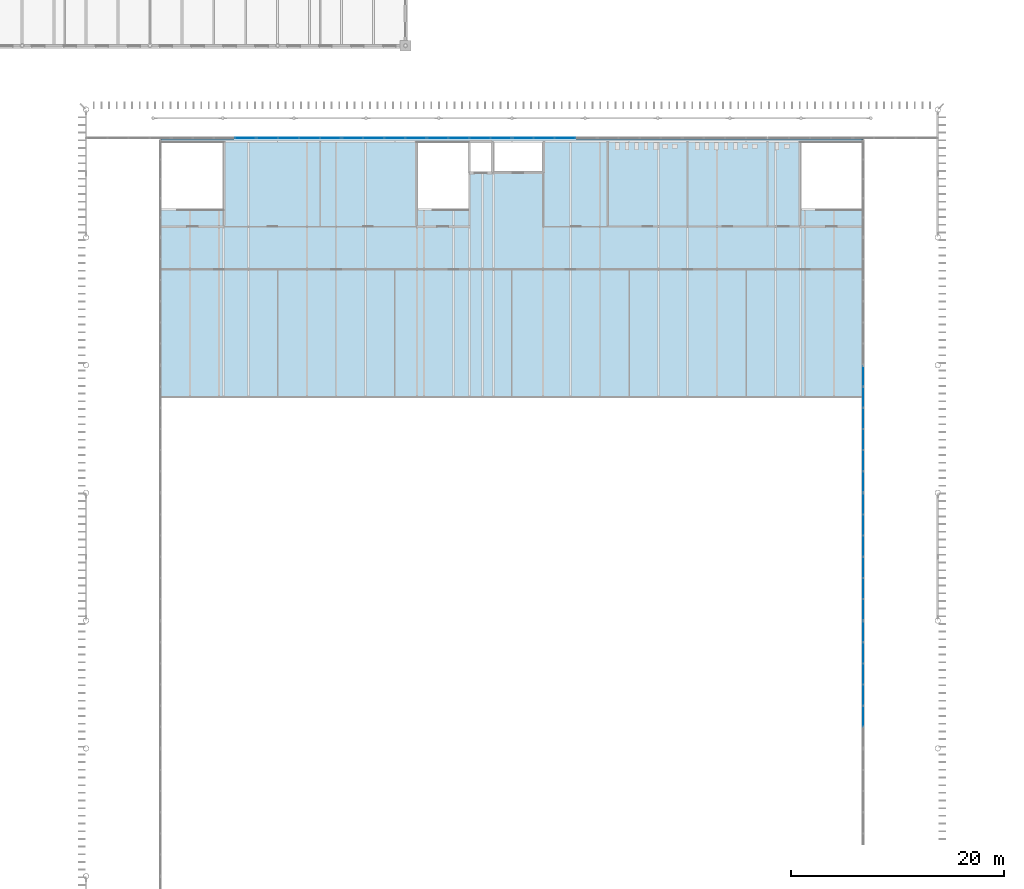
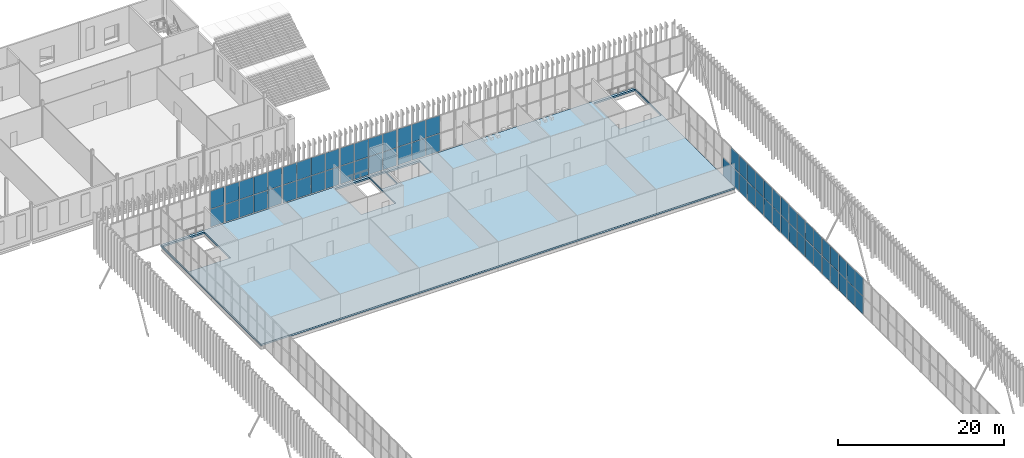
# One storey, part 96 of 170: 65 plates, 1 slab, 8 elements without a shape of their own.
"""IFC4 building model written with IfcOpenShell, lengths in metres."""

from ifc_helpers import new_model, si_unit, direction, frame, origin, origin_2d, place, context, subcontext, project, spatial, polyline, rectangle, outline, extrude, material, layer, layer_set, type_object, element, aggregate, save


model = new_model("IFC4")

# Units and contexts
model_context = context("Model", 3, precision=1e-05, world=origin(), true_north=direction((0.0, 1.0)))
body_context = subcontext(model_context, "Body", "Model", "MODEL_VIEW")
ifc_project = project(units=[si_unit("LENGTHUNIT", "METRE"), si_unit("AREAUNIT", "SQUARE_METRE"), si_unit("VOLUMEUNIT", "CUBIC_METRE"), si_unit("PLANEANGLEUNIT", "RADIAN"), si_unit("MASSUNIT", "GRAM", prefix="KILO")], contexts=[model_context])

# Site, building, storey
site_placement = place(None, origin())
site = spatial("IfcSite", under=ifc_project, at=site_placement, CompositionType="ELEMENT")
building_placement = place(site_placement, origin())
building = spatial("IfcBuilding", under=site, at=building_placement, Name="Ravi Spectrum Wholesale Market", CompositionType="ELEMENT")
storey_placement = place(building_placement, frame((0.0, 0.0, 5.39990234375)))
storey = spatial("IfcBuildingStorey", under=building, at=storey_placement, Name="L01", CompositionType="ELEMENT", Elevation=5.39990234375)

# Slab
ifc_material_1 = material(Name="Concrete C35/45", Category="concrete")
ifc_layer_1 = layer(ifc_material_1, 0.25)
ifc_layer_set_1 = layer_set([ifc_layer_1], Name="Concrete C35/45")
slab_type = type_object("IfcSlabType", Name="Composite deck slab 250", PredefinedType="FLOOR", material=ifc_layer_set_1)
slab_placement = place(storey_placement, frame((0.0, 0.0, -0.25)))
element("IfcSlab", 1, at=slab_placement, inside=storey, type_object=slab_type, Name="H1-SL-L01-001", PredefinedType="FLOOR", context=body_context, shape_type="SweptSolid", body=[
    extrude(outline(polyline([(37.0, 195.25), (103.0, 195.25), (103.0, 171.0), (37.0, 171.0), (37.0, 195.25)]), holes=[polyline([(37.10009765625, 194.89990234375), (37.10009765625, 188.60498046875), (42.89990234375, 188.60498046875), (42.89990234375, 194.89990234375), (37.10009765625, 194.89990234375)]), polyline([(61.10009765625, 194.89990234375), (61.10009765625, 188.60498046875), (65.89990234375, 188.60498046875), (65.89990234375, 194.89990234375), (61.10009765625, 194.89990234375)]), polyline([(97.10009765625, 194.89990234375), (97.10009765625, 188.60498046875), (102.89990234375, 188.60498046875), (102.89990234375, 194.89990234375), (97.10009765625, 194.89990234375)]), polyline([(68.14990234375, 194.9990234375), (66.0, 194.9990234375), (66.0, 192.050048828125), (68.14990234375, 192.050048828125), (68.14990234375, 194.9990234375)]), polyline([(72.89990234375, 194.89990234375), (68.25, 194.89990234375), (68.25, 192.14990234375), (72.89990234375, 192.14990234375), (72.89990234375, 194.89990234375)])]), origin(), (0.0, 0.0, 1.0), 0.25),
])

# Curtain wall, plates
ifc_material_2 = material(Name="Aluminium 6063-T6", Category="aluminium")
ifc_layer_2 = layer(ifc_material_2, 0.14990234375)
ifc_layer_set_2 = layer_set([ifc_layer_2], Name="Aluminium 6063-T6")
curtain_wall_type = type_object("IfcCurtainWallType", Name="Curtain wall 150", PredefinedType="NOTDEFINED", material=ifc_layer_set_2)
curtain_wall_1_placement = place(storey_placement, origin())
curtain_wall_1 = element("IfcCurtainWall", 2, at=curtain_wall_1_placement, inside=storey, type_object=curtain_wall_type, Name="H1-CW-L01-024", PredefinedType="NOTDEFINED")
ifc_material_3 = material(Name="Toughened glass", Category="glass")
ifc_layer_3 = layer(ifc_material_3, 0.028076171875)
ifc_layer_set_3 = layer_set([ifc_layer_3], Name="Toughened glass")
plate_type = type_object("IfcPlateType", Name="Glazing panel 28", PredefinedType="CURTAIN_PANEL", material=ifc_layer_set_3)
plate_1_placement = place(storey_placement, frame((103.0, 141.02001953125, 0.06005859375), z_axis=(0.0, 0.0, 1.0), x_axis=(0.0, 1.0, 0.0)))
plate_1 = element("IfcPlate", 3, at=plate_1_placement, type_object=plate_type, Name="H1-CW-L01-024 panel 2.1", PredefinedType="CURTAIN_PANEL", context=body_context, shape_type="SweptSolid", body=[
    extrude(rectangle(XDim=1.9267578125, YDim=0.028076171875, at=origin_2d()), origin(), (0.0, 0.0, 1.0), 2.610107421875),
])
plate_2_placement = place(storey_placement, frame((103.0, 141.02001953125, 2.72998046875), z_axis=(0.0, 0.0, 1.0), x_axis=(0.0, 1.0, 0.0)))
plate_2 = element("IfcPlate", 4, at=plate_2_placement, type_object=plate_type, Name="H1-CW-L01-024 panel 2.2", PredefinedType="CURTAIN_PANEL", context=body_context, shape_type="SweptSolid", body=[
    extrude(rectangle(XDim=1.9267578125, YDim=0.028076171875, at=origin_2d()), origin(), (0.0, 0.0, 1.0), 2.610107421875),
])
plate_3_placement = place(storey_placement, frame((103.0, 143.006591796875, 0.06005859375), z_axis=(0.0, 0.0, 1.0), x_axis=(0.0, 1.0, 0.0)))
plate_3 = element("IfcPlate", 5, at=plate_3_placement, type_object=plate_type, Name="H1-CW-L01-024 panel 3.1", PredefinedType="CURTAIN_PANEL", context=body_context, shape_type="SweptSolid", body=[
    extrude(rectangle(XDim=1.9267578125, YDim=0.028076171875, at=origin_2d()), origin(), (0.0, 0.0, 1.0), 2.610107421875),
])
plate_4_placement = place(storey_placement, frame((103.0, 143.006591796875, 2.72998046875), z_axis=(0.0, 0.0, 1.0), x_axis=(0.0, 1.0, 0.0)))
plate_4 = element("IfcPlate", 6, at=plate_4_placement, type_object=plate_type, Name="H1-CW-L01-024 panel 3.2", PredefinedType="CURTAIN_PANEL", context=body_context, shape_type="SweptSolid", body=[
    extrude(rectangle(XDim=1.9267578125, YDim=0.028076171875, at=origin_2d()), origin(), (0.0, 0.0, 1.0), 2.610107421875),
])
plate_5_placement = place(storey_placement, frame((103.0, 144.993408203125, 0.06005859375), z_axis=(0.0, 0.0, 1.0), x_axis=(0.0, 1.0, 0.0)))
plate_5 = element("IfcPlate", 7, at=plate_5_placement, type_object=plate_type, Name="H1-CW-L01-024 panel 4.1", PredefinedType="CURTAIN_PANEL", context=body_context, shape_type="SweptSolid", body=[
    extrude(rectangle(XDim=1.9267578125, YDim=0.028076171875, at=origin_2d()), origin(), (0.0, 0.0, 1.0), 2.610107421875),
])
plate_6_placement = place(storey_placement, frame((103.0, 144.993408203125, 2.72998046875), z_axis=(0.0, 0.0, 1.0), x_axis=(0.0, 1.0, 0.0)))
plate_6 = element("IfcPlate", 8, at=plate_6_placement, type_object=plate_type, Name="H1-CW-L01-024 panel 4.2", PredefinedType="CURTAIN_PANEL", context=body_context, shape_type="SweptSolid", body=[
    extrude(rectangle(XDim=1.9267578125, YDim=0.028076171875, at=origin_2d()), origin(), (0.0, 0.0, 1.0), 2.610107421875),
])
plate_7_placement = place(storey_placement, frame((103.0, 146.97998046875, 0.06005859375), z_axis=(0.0, 0.0, 1.0), x_axis=(0.0, 1.0, 0.0)))
plate_7 = element("IfcPlate", 9, at=plate_7_placement, type_object=plate_type, Name="H1-CW-L01-024 panel 5.1", PredefinedType="CURTAIN_PANEL", context=body_context, shape_type="SweptSolid", body=[
    extrude(rectangle(XDim=1.9267578125, YDim=0.028076171875, at=origin_2d()), origin(), (0.0, 0.0, 1.0), 2.610107421875),
])
plate_8_placement = place(storey_placement, frame((103.0, 146.97998046875, 2.72998046875), z_axis=(0.0, 0.0, 1.0), x_axis=(0.0, 1.0, 0.0)))
plate_8 = element("IfcPlate", 10, at=plate_8_placement, type_object=plate_type, Name="H1-CW-L01-024 panel 5.2", PredefinedType="CURTAIN_PANEL", context=body_context, shape_type="SweptSolid", body=[
    extrude(rectangle(XDim=1.9267578125, YDim=0.028076171875, at=origin_2d()), origin(), (0.0, 0.0, 1.0), 2.610107421875),
])
plate_9_placement = place(storey_placement, frame((103.0, 148.95166015625, 0.06005859375), z_axis=(0.0, 0.0, 1.0), x_axis=(0.0, 1.0, 0.0)))
plate_9 = element("IfcPlate", 11, at=plate_9_placement, type_object=plate_type, Name="H1-CW-L01-024 panel 6.1", PredefinedType="CURTAIN_PANEL", context=body_context, shape_type="SweptSolid", body=[
    extrude(rectangle(XDim=1.896728515625, YDim=0.028076171875, at=origin_2d()), origin(), (0.0, 0.0, 1.0), 2.610107421875),
])
plate_10_placement = place(storey_placement, frame((103.0, 148.95166015625, 2.72998046875), z_axis=(0.0, 0.0, 1.0), x_axis=(0.0, 1.0, 0.0)))
plate_10 = element("IfcPlate", 12, at=plate_10_placement, type_object=plate_type, Name="H1-CW-L01-024 panel 6.2", PredefinedType="CURTAIN_PANEL", context=body_context, shape_type="SweptSolid", body=[
    extrude(rectangle(XDim=1.896728515625, YDim=0.028076171875, at=origin_2d()), origin(), (0.0, 0.0, 1.0), 2.610107421875),
])
aggregate(curtain_wall_1, [plate_1, plate_2, plate_3, plate_4, plate_5, plate_6, plate_7, plate_8, plate_9, plate_10])

curtain_wall_2_placement = place(storey_placement, origin())
curtain_wall_2 = element("IfcCurtainWall", 13, at=curtain_wall_2_placement, inside=storey, type_object=curtain_wall_type, Name="H1-CW-L01-025", PredefinedType="NOTDEFINED")
plate_11_placement = place(storey_placement, frame((103.0, 151.04833984375, 0.06005859375), z_axis=(0.0, 0.0, 1.0), x_axis=(0.0, 1.0, 0.0)))
plate_11 = element("IfcPlate", 14, at=plate_11_placement, type_object=plate_type, Name="H1-CW-L01-025 panel 1.1", PredefinedType="CURTAIN_PANEL", context=body_context, shape_type="SweptSolid", body=[
    extrude(rectangle(XDim=1.896728515625, YDim=0.028076171875, at=origin_2d()), origin(), (0.0, 0.0, 1.0), 2.610107421875),
])
plate_12_placement = place(storey_placement, frame((103.0, 151.04833984375, 2.72998046875), z_axis=(0.0, 0.0, 1.0), x_axis=(0.0, 1.0, 0.0)))
plate_12 = element("IfcPlate", 15, at=plate_12_placement, type_object=plate_type, Name="H1-CW-L01-025 panel 1.2", PredefinedType="CURTAIN_PANEL", context=body_context, shape_type="SweptSolid", body=[
    extrude(rectangle(XDim=1.896728515625, YDim=0.028076171875, at=origin_2d()), origin(), (0.0, 0.0, 1.0), 2.610107421875),
])
plate_13_placement = place(storey_placement, frame((103.0, 153.02001953125, 0.06005859375), z_axis=(0.0, 0.0, 1.0), x_axis=(0.0, 1.0, 0.0)))
plate_13 = element("IfcPlate", 16, at=plate_13_placement, type_object=plate_type, Name="H1-CW-L01-025 panel 2.1", PredefinedType="CURTAIN_PANEL", context=body_context, shape_type="SweptSolid", body=[
    extrude(rectangle(XDim=1.9267578125, YDim=0.028076171875, at=origin_2d()), origin(), (0.0, 0.0, 1.0), 2.610107421875),
])
plate_14_placement = place(storey_placement, frame((103.0, 153.02001953125, 2.72998046875), z_axis=(0.0, 0.0, 1.0), x_axis=(0.0, 1.0, 0.0)))
plate_14 = element("IfcPlate", 17, at=plate_14_placement, type_object=plate_type, Name="H1-CW-L01-025 panel 2.2", PredefinedType="CURTAIN_PANEL", context=body_context, shape_type="SweptSolid", body=[
    extrude(rectangle(XDim=1.9267578125, YDim=0.028076171875, at=origin_2d()), origin(), (0.0, 0.0, 1.0), 2.610107421875),
])
plate_15_placement = place(storey_placement, frame((103.0, 155.006591796875, 0.06005859375), z_axis=(0.0, 0.0, 1.0), x_axis=(0.0, 1.0, 0.0)))
plate_15 = element("IfcPlate", 18, at=plate_15_placement, type_object=plate_type, Name="H1-CW-L01-025 panel 3.1", PredefinedType="CURTAIN_PANEL", context=body_context, shape_type="SweptSolid", body=[
    extrude(rectangle(XDim=1.9267578125, YDim=0.028076171875, at=origin_2d()), origin(), (0.0, 0.0, 1.0), 2.610107421875),
])
plate_16_placement = place(storey_placement, frame((103.0, 155.006591796875, 2.72998046875), z_axis=(0.0, 0.0, 1.0), x_axis=(0.0, 1.0, 0.0)))
plate_16 = element("IfcPlate", 19, at=plate_16_placement, type_object=plate_type, Name="H1-CW-L01-025 panel 3.2", PredefinedType="CURTAIN_PANEL", context=body_context, shape_type="SweptSolid", body=[
    extrude(rectangle(XDim=1.9267578125, YDim=0.028076171875, at=origin_2d()), origin(), (0.0, 0.0, 1.0), 2.610107421875),
])
plate_17_placement = place(storey_placement, frame((103.0, 156.993408203125, 0.06005859375), z_axis=(0.0, 0.0, 1.0), x_axis=(0.0, 1.0, 0.0)))
plate_17 = element("IfcPlate", 20, at=plate_17_placement, type_object=plate_type, Name="H1-CW-L01-025 panel 4.1", PredefinedType="CURTAIN_PANEL", context=body_context, shape_type="SweptSolid", body=[
    extrude(rectangle(XDim=1.9267578125, YDim=0.028076171875, at=origin_2d()), origin(), (0.0, 0.0, 1.0), 2.610107421875),
])
plate_18_placement = place(storey_placement, frame((103.0, 156.993408203125, 2.72998046875), z_axis=(0.0, 0.0, 1.0), x_axis=(0.0, 1.0, 0.0)))
plate_18 = element("IfcPlate", 21, at=plate_18_placement, type_object=plate_type, Name="H1-CW-L01-025 panel 4.2", PredefinedType="CURTAIN_PANEL", context=body_context, shape_type="SweptSolid", body=[
    extrude(rectangle(XDim=1.9267578125, YDim=0.028076171875, at=origin_2d()), origin(), (0.0, 0.0, 1.0), 2.610107421875),
])
plate_19_placement = place(storey_placement, frame((103.0, 158.97998046875, 0.06005859375), z_axis=(0.0, 0.0, 1.0), x_axis=(0.0, 1.0, 0.0)))
plate_19 = element("IfcPlate", 22, at=plate_19_placement, type_object=plate_type, Name="H1-CW-L01-025 panel 5.1", PredefinedType="CURTAIN_PANEL", context=body_context, shape_type="SweptSolid", body=[
    extrude(rectangle(XDim=1.9267578125, YDim=0.028076171875, at=origin_2d()), origin(), (0.0, 0.0, 1.0), 2.610107421875),
])
plate_20_placement = place(storey_placement, frame((103.0, 158.97998046875, 2.72998046875), z_axis=(0.0, 0.0, 1.0), x_axis=(0.0, 1.0, 0.0)))
plate_20 = element("IfcPlate", 23, at=plate_20_placement, type_object=plate_type, Name="H1-CW-L01-025 panel 5.2", PredefinedType="CURTAIN_PANEL", context=body_context, shape_type="SweptSolid", body=[
    extrude(rectangle(XDim=1.9267578125, YDim=0.028076171875, at=origin_2d()), origin(), (0.0, 0.0, 1.0), 2.610107421875),
])
plate_21_placement = place(storey_placement, frame((103.0, 160.95166015625, 0.06005859375), z_axis=(0.0, 0.0, 1.0), x_axis=(0.0, 1.0, 0.0)))
plate_21 = element("IfcPlate", 24, at=plate_21_placement, type_object=plate_type, Name="H1-CW-L01-025 panel 6.1", PredefinedType="CURTAIN_PANEL", context=body_context, shape_type="SweptSolid", body=[
    extrude(rectangle(XDim=1.896728515625, YDim=0.028076171875, at=origin_2d()), origin(), (0.0, 0.0, 1.0), 2.610107421875),
])
plate_22_placement = place(storey_placement, frame((103.0, 160.95166015625, 2.72998046875), z_axis=(0.0, 0.0, 1.0), x_axis=(0.0, 1.0, 0.0)))
plate_22 = element("IfcPlate", 25, at=plate_22_placement, type_object=plate_type, Name="H1-CW-L01-025 panel 6.2", PredefinedType="CURTAIN_PANEL", context=body_context, shape_type="SweptSolid", body=[
    extrude(rectangle(XDim=1.896728515625, YDim=0.028076171875, at=origin_2d()), origin(), (0.0, 0.0, 1.0), 2.610107421875),
])
aggregate(curtain_wall_2, [plate_11, plate_12, plate_13, plate_14, plate_15, plate_16, plate_17, plate_18, plate_19, plate_20, plate_21, plate_22])

curtain_wall_3_placement = place(storey_placement, origin())
curtain_wall_3 = element("IfcCurtainWall", 26, at=curtain_wall_3_placement, inside=storey, type_object=curtain_wall_type, Name="H1-CW-L01-026", PredefinedType="NOTDEFINED")
plate_23_placement = place(storey_placement, frame((103.0, 163.04833984375, 0.06005859375), z_axis=(0.0, 0.0, 1.0), x_axis=(0.0, 1.0, 0.0)))
plate_23 = element("IfcPlate", 27, at=plate_23_placement, type_object=plate_type, Name="H1-CW-L01-026 panel 1.1", PredefinedType="CURTAIN_PANEL", context=body_context, shape_type="SweptSolid", body=[
    extrude(rectangle(XDim=1.896728515625, YDim=0.028076171875, at=origin_2d()), origin(), (0.0, 0.0, 1.0), 2.610107421875),
])
plate_24_placement = place(storey_placement, frame((103.0, 163.04833984375, 2.72998046875), z_axis=(0.0, 0.0, 1.0), x_axis=(0.0, 1.0, 0.0)))
plate_24 = element("IfcPlate", 28, at=plate_24_placement, type_object=plate_type, Name="H1-CW-L01-026 panel 1.2", PredefinedType="CURTAIN_PANEL", context=body_context, shape_type="SweptSolid", body=[
    extrude(rectangle(XDim=1.896728515625, YDim=0.028076171875, at=origin_2d()), origin(), (0.0, 0.0, 1.0), 2.610107421875),
])
plate_25_placement = place(storey_placement, frame((103.0, 165.02001953125, 0.06005859375), z_axis=(0.0, 0.0, 1.0), x_axis=(0.0, 1.0, 0.0)))
plate_25 = element("IfcPlate", 29, at=plate_25_placement, type_object=plate_type, Name="H1-CW-L01-026 panel 2.1", PredefinedType="CURTAIN_PANEL", context=body_context, shape_type="SweptSolid", body=[
    extrude(rectangle(XDim=1.9267578125, YDim=0.028076171875, at=origin_2d()), origin(), (0.0, 0.0, 1.0), 2.610107421875),
])
plate_26_placement = place(storey_placement, frame((103.0, 165.02001953125, 2.72998046875), z_axis=(0.0, 0.0, 1.0), x_axis=(0.0, 1.0, 0.0)))
plate_26 = element("IfcPlate", 30, at=plate_26_placement, type_object=plate_type, Name="H1-CW-L01-026 panel 2.2", PredefinedType="CURTAIN_PANEL", context=body_context, shape_type="SweptSolid", body=[
    extrude(rectangle(XDim=1.9267578125, YDim=0.028076171875, at=origin_2d()), origin(), (0.0, 0.0, 1.0), 2.610107421875),
])
plate_27_placement = place(storey_placement, frame((103.0, 167.006591796875, 0.06005859375), z_axis=(0.0, 0.0, 1.0), x_axis=(0.0, 1.0, 0.0)))
plate_27 = element("IfcPlate", 31, at=plate_27_placement, type_object=plate_type, Name="H1-CW-L01-026 panel 3.1", PredefinedType="CURTAIN_PANEL", context=body_context, shape_type="SweptSolid", body=[
    extrude(rectangle(XDim=1.9267578125, YDim=0.028076171875, at=origin_2d()), origin(), (0.0, 0.0, 1.0), 2.610107421875),
])
plate_28_placement = place(storey_placement, frame((103.0, 167.006591796875, 2.72998046875), z_axis=(0.0, 0.0, 1.0), x_axis=(0.0, 1.0, 0.0)))
plate_28 = element("IfcPlate", 32, at=plate_28_placement, type_object=plate_type, Name="H1-CW-L01-026 panel 3.2", PredefinedType="CURTAIN_PANEL", context=body_context, shape_type="SweptSolid", body=[
    extrude(rectangle(XDim=1.9267578125, YDim=0.028076171875, at=origin_2d()), origin(), (0.0, 0.0, 1.0), 2.610107421875),
])
plate_29_placement = place(storey_placement, frame((103.0, 168.993408203125, 0.06005859375), z_axis=(0.0, 0.0, 1.0), x_axis=(0.0, 1.0, 0.0)))
plate_29 = element("IfcPlate", 33, at=plate_29_placement, type_object=plate_type, Name="H1-CW-L01-026 panel 4.1", PredefinedType="CURTAIN_PANEL", context=body_context, shape_type="SweptSolid", body=[
    extrude(rectangle(XDim=1.9267578125, YDim=0.028076171875, at=origin_2d()), origin(), (0.0, 0.0, 1.0), 2.610107421875),
])
plate_30_placement = place(storey_placement, frame((103.0, 168.993408203125, 2.72998046875), z_axis=(0.0, 0.0, 1.0), x_axis=(0.0, 1.0, 0.0)))
plate_30 = element("IfcPlate", 34, at=plate_30_placement, type_object=plate_type, Name="H1-CW-L01-026 panel 4.2", PredefinedType="CURTAIN_PANEL", context=body_context, shape_type="SweptSolid", body=[
    extrude(rectangle(XDim=1.9267578125, YDim=0.028076171875, at=origin_2d()), origin(), (0.0, 0.0, 1.0), 2.610107421875),
])
plate_31_placement = place(storey_placement, frame((103.0, 170.97998046875, 0.06005859375), z_axis=(0.0, 0.0, 1.0), x_axis=(0.0, 1.0, 0.0)))
plate_31 = element("IfcPlate", 35, at=plate_31_placement, type_object=plate_type, Name="H1-CW-L01-026 panel 5.1", PredefinedType="CURTAIN_PANEL", context=body_context, shape_type="SweptSolid", body=[
    extrude(rectangle(XDim=1.9267578125, YDim=0.028076171875, at=origin_2d()), origin(), (0.0, 0.0, 1.0), 2.610107421875),
])
plate_32_placement = place(storey_placement, frame((103.0, 170.97998046875, 2.72998046875), z_axis=(0.0, 0.0, 1.0), x_axis=(0.0, 1.0, 0.0)))
plate_32 = element("IfcPlate", 36, at=plate_32_placement, type_object=plate_type, Name="H1-CW-L01-026 panel 5.2", PredefinedType="CURTAIN_PANEL", context=body_context, shape_type="SweptSolid", body=[
    extrude(rectangle(XDim=1.9267578125, YDim=0.028076171875, at=origin_2d()), origin(), (0.0, 0.0, 1.0), 2.610107421875),
])
plate_33_placement = place(storey_placement, frame((103.0, 172.95166015625, 0.06005859375), z_axis=(0.0, 0.0, 1.0), x_axis=(0.0, 1.0, 0.0)))
plate_33 = element("IfcPlate", 37, at=plate_33_placement, type_object=plate_type, Name="H1-CW-L01-026 panel 6.1", PredefinedType="CURTAIN_PANEL", context=body_context, shape_type="SweptSolid", body=[
    extrude(rectangle(XDim=1.896728515625, YDim=0.028076171875, at=origin_2d()), origin(), (0.0, 0.0, 1.0), 2.610107421875),
])
aggregate(curtain_wall_3, [plate_23, plate_24, plate_25, plate_26, plate_27, plate_28, plate_29, plate_30, plate_31, plate_32, plate_33])

curtain_wall_4_placement = place(storey_placement, origin())
curtain_wall_4 = element("IfcCurtainWall", 38, at=curtain_wall_4_placement, inside=storey, type_object=curtain_wall_type, Name="H1-CW-L01-054", PredefinedType="NOTDEFINED")
plate_34_placement = place(storey_placement, frame((44.955078125, 195.340087890625, 0.06005859375), z_axis=(0.0, 0.0, 1.0), x_axis=(1.0, 0.0, 0.0)))
plate_34 = element("IfcPlate", 39, at=plate_34_placement, type_object=plate_type, Name="H1-CW-L01-054 panel 4.1", PredefinedType="CURTAIN_PANEL", context=body_context, shape_type="SweptSolid", body=[
    extrude(rectangle(XDim=1.889892578125, YDim=0.028076171875, at=origin_2d()), origin(), (0.0, 0.0, 1.0), 2.610107421875),
])
plate_35_placement = place(storey_placement, frame((44.955078125, 195.340087890625, 2.72998046875), z_axis=(0.0, 0.0, 1.0), x_axis=(1.0, 0.0, 0.0)))
plate_35 = element("IfcPlate", 40, at=plate_35_placement, type_object=plate_type, Name="H1-CW-L01-054 panel 4.2", PredefinedType="CURTAIN_PANEL", context=body_context, shape_type="SweptSolid", body=[
    extrude(rectangle(XDim=1.889892578125, YDim=0.028076171875, at=origin_2d()), origin(), (0.0, 0.0, 1.0), 2.610107421875),
])
aggregate(curtain_wall_4, [plate_34, plate_35])

curtain_wall_5_placement = place(storey_placement, origin())
curtain_wall_5 = element("IfcCurtainWall", 41, at=curtain_wall_5_placement, inside=storey, type_object=curtain_wall_type, Name="H1-CW-L01-055", PredefinedType="NOTDEFINED")
plate_36_placement = place(storey_placement, frame((47.044921875, 195.340087890625, 0.06005859375), z_axis=(0.0, 0.0, 1.0), x_axis=(1.0, 0.0, 0.0)))
plate_36 = element("IfcPlate", 42, at=plate_36_placement, type_object=plate_type, Name="H1-CW-L01-055 panel 1.1", PredefinedType="CURTAIN_PANEL", context=body_context, shape_type="SweptSolid", body=[
    extrude(rectangle(XDim=1.889892578125, YDim=0.028076171875, at=origin_2d()), origin(), (0.0, 0.0, 1.0), 2.610107421875),
])
plate_37_placement = place(storey_placement, frame((47.044921875, 195.340087890625, 2.72998046875), z_axis=(0.0, 0.0, 1.0), x_axis=(1.0, 0.0, 0.0)))
plate_37 = element("IfcPlate", 43, at=plate_37_placement, type_object=plate_type, Name="H1-CW-L01-055 panel 1.2", PredefinedType="CURTAIN_PANEL", context=body_context, shape_type="SweptSolid", body=[
    extrude(rectangle(XDim=1.889892578125, YDim=0.028076171875, at=origin_2d()), origin(), (0.0, 0.0, 1.0), 2.610107421875),
])
plate_38_placement = place(storey_placement, frame((49.010009765625, 195.340087890625, 0.06005859375), z_axis=(0.0, 0.0, 1.0), x_axis=(1.0, 0.0, 0.0)))
plate_38 = element("IfcPlate", 44, at=plate_38_placement, type_object=plate_type, Name="H1-CW-L01-055 panel 2.1", PredefinedType="CURTAIN_PANEL", context=body_context, shape_type="SweptSolid", body=[
    extrude(rectangle(XDim=1.919921875, YDim=0.028076171875, at=origin_2d()), origin(), (0.0, 0.0, 1.0), 2.610107421875),
])
plate_39_placement = place(storey_placement, frame((49.010009765625, 195.340087890625, 2.72998046875), z_axis=(0.0, 0.0, 1.0), x_axis=(1.0, 0.0, 0.0)))
plate_39 = element("IfcPlate", 45, at=plate_39_placement, type_object=plate_type, Name="H1-CW-L01-055 panel 2.2", PredefinedType="CURTAIN_PANEL", context=body_context, shape_type="SweptSolid", body=[
    extrude(rectangle(XDim=1.919921875, YDim=0.028076171875, at=origin_2d()), origin(), (0.0, 0.0, 1.0), 2.610107421875),
])
plate_40_placement = place(storey_placement, frame((50.989990234375, 195.340087890625, 0.06005859375), z_axis=(0.0, 0.0, 1.0), x_axis=(1.0, 0.0, 0.0)))
plate_40 = element("IfcPlate", 46, at=plate_40_placement, type_object=plate_type, Name="H1-CW-L01-055 panel 3.1", PredefinedType="CURTAIN_PANEL", context=body_context, shape_type="SweptSolid", body=[
    extrude(rectangle(XDim=1.919921875, YDim=0.028076171875, at=origin_2d()), origin(), (0.0, 0.0, 1.0), 2.610107421875),
])
plate_41_placement = place(storey_placement, frame((50.989990234375, 195.340087890625, 2.72998046875), z_axis=(0.0, 0.0, 1.0), x_axis=(1.0, 0.0, 0.0)))
plate_41 = element("IfcPlate", 47, at=plate_41_placement, type_object=plate_type, Name="H1-CW-L01-055 panel 3.2", PredefinedType="CURTAIN_PANEL", context=body_context, shape_type="SweptSolid", body=[
    extrude(rectangle(XDim=1.919921875, YDim=0.028076171875, at=origin_2d()), origin(), (0.0, 0.0, 1.0), 2.610107421875),
])
plate_42_placement = place(storey_placement, frame((52.955078125, 195.340087890625, 0.06005859375), z_axis=(0.0, 0.0, 1.0), x_axis=(1.0, 0.0, 0.0)))
plate_42 = element("IfcPlate", 48, at=plate_42_placement, type_object=plate_type, Name="H1-CW-L01-055 panel 4.1", PredefinedType="CURTAIN_PANEL", context=body_context, shape_type="SweptSolid", body=[
    extrude(rectangle(XDim=1.889892578125, YDim=0.028076171875, at=origin_2d()), origin(), (0.0, 0.0, 1.0), 2.610107421875),
])
plate_43_placement = place(storey_placement, frame((52.955078125, 195.340087890625, 2.72998046875), z_axis=(0.0, 0.0, 1.0), x_axis=(1.0, 0.0, 0.0)))
plate_43 = element("IfcPlate", 49, at=plate_43_placement, type_object=plate_type, Name="H1-CW-L01-055 panel 4.2", PredefinedType="CURTAIN_PANEL", context=body_context, shape_type="SweptSolid", body=[
    extrude(rectangle(XDim=1.889892578125, YDim=0.028076171875, at=origin_2d()), origin(), (0.0, 0.0, 1.0), 2.610107421875),
])
aggregate(curtain_wall_5, [plate_36, plate_37, plate_38, plate_39, plate_40, plate_41, plate_42, plate_43])

curtain_wall_6_placement = place(storey_placement, origin())
curtain_wall_6 = element("IfcCurtainWall", 50, at=curtain_wall_6_placement, inside=storey, type_object=curtain_wall_type, Name="H1-CW-L01-056", PredefinedType="NOTDEFINED")
plate_44_placement = place(storey_placement, frame((55.044921875, 195.340087890625, 0.06005859375), z_axis=(0.0, 0.0, 1.0), x_axis=(1.0, 0.0, 0.0)))
plate_44 = element("IfcPlate", 51, at=plate_44_placement, type_object=plate_type, Name="H1-CW-L01-056 panel 1.1", PredefinedType="CURTAIN_PANEL", context=body_context, shape_type="SweptSolid", body=[
    extrude(rectangle(XDim=1.889892578125, YDim=0.028076171875, at=origin_2d()), origin(), (0.0, 0.0, 1.0), 2.610107421875),
])
plate_45_placement = place(storey_placement, frame((55.044921875, 195.340087890625, 2.72998046875), z_axis=(0.0, 0.0, 1.0), x_axis=(1.0, 0.0, 0.0)))
plate_45 = element("IfcPlate", 52, at=plate_45_placement, type_object=plate_type, Name="H1-CW-L01-056 panel 1.2", PredefinedType="CURTAIN_PANEL", context=body_context, shape_type="SweptSolid", body=[
    extrude(rectangle(XDim=1.889892578125, YDim=0.028076171875, at=origin_2d()), origin(), (0.0, 0.0, 1.0), 2.610107421875),
])
plate_46_placement = place(storey_placement, frame((57.010009765625, 195.340087890625, 0.06005859375), z_axis=(0.0, 0.0, 1.0), x_axis=(1.0, 0.0, 0.0)))
plate_46 = element("IfcPlate", 53, at=plate_46_placement, type_object=plate_type, Name="H1-CW-L01-056 panel 2.1", PredefinedType="CURTAIN_PANEL", context=body_context, shape_type="SweptSolid", body=[
    extrude(rectangle(XDim=1.919921875, YDim=0.028076171875, at=origin_2d()), origin(), (0.0, 0.0, 1.0), 2.610107421875),
])
plate_47_placement = place(storey_placement, frame((57.010009765625, 195.340087890625, 2.72998046875), z_axis=(0.0, 0.0, 1.0), x_axis=(1.0, 0.0, 0.0)))
plate_47 = element("IfcPlate", 54, at=plate_47_placement, type_object=plate_type, Name="H1-CW-L01-056 panel 2.2", PredefinedType="CURTAIN_PANEL", context=body_context, shape_type="SweptSolid", body=[
    extrude(rectangle(XDim=1.919921875, YDim=0.028076171875, at=origin_2d()), origin(), (0.0, 0.0, 1.0), 2.610107421875),
])
plate_48_placement = place(storey_placement, frame((58.989990234375, 195.340087890625, 0.06005859375), z_axis=(0.0, 0.0, 1.0), x_axis=(1.0, 0.0, 0.0)))
plate_48 = element("IfcPlate", 55, at=plate_48_placement, type_object=plate_type, Name="H1-CW-L01-056 panel 3.1", PredefinedType="CURTAIN_PANEL", context=body_context, shape_type="SweptSolid", body=[
    extrude(rectangle(XDim=1.919921875, YDim=0.028076171875, at=origin_2d()), origin(), (0.0, 0.0, 1.0), 2.610107421875),
])
plate_49_placement = place(storey_placement, frame((58.989990234375, 195.340087890625, 2.72998046875), z_axis=(0.0, 0.0, 1.0), x_axis=(1.0, 0.0, 0.0)))
plate_49 = element("IfcPlate", 56, at=plate_49_placement, type_object=plate_type, Name="H1-CW-L01-056 panel 3.2", PredefinedType="CURTAIN_PANEL", context=body_context, shape_type="SweptSolid", body=[
    extrude(rectangle(XDim=1.919921875, YDim=0.028076171875, at=origin_2d()), origin(), (0.0, 0.0, 1.0), 2.610107421875),
])
plate_50_placement = place(storey_placement, frame((60.955078125, 195.340087890625, 0.06005859375), z_axis=(0.0, 0.0, 1.0), x_axis=(1.0, 0.0, 0.0)))
plate_50 = element("IfcPlate", 57, at=plate_50_placement, type_object=plate_type, Name="H1-CW-L01-056 panel 4.1", PredefinedType="CURTAIN_PANEL", context=body_context, shape_type="SweptSolid", body=[
    extrude(rectangle(XDim=1.889892578125, YDim=0.028076171875, at=origin_2d()), origin(), (0.0, 0.0, 1.0), 2.610107421875),
])
plate_51_placement = place(storey_placement, frame((60.955078125, 195.340087890625, 2.72998046875), z_axis=(0.0, 0.0, 1.0), x_axis=(1.0, 0.0, 0.0)))
plate_51 = element("IfcPlate", 58, at=plate_51_placement, type_object=plate_type, Name="H1-CW-L01-056 panel 4.2", PredefinedType="CURTAIN_PANEL", context=body_context, shape_type="SweptSolid", body=[
    extrude(rectangle(XDim=1.889892578125, YDim=0.028076171875, at=origin_2d()), origin(), (0.0, 0.0, 1.0), 2.610107421875),
])
aggregate(curtain_wall_6, [plate_44, plate_45, plate_46, plate_47, plate_48, plate_49, plate_50, plate_51])

curtain_wall_7_placement = place(storey_placement, origin())
curtain_wall_7 = element("IfcCurtainWall", 59, at=curtain_wall_7_placement, inside=storey, type_object=curtain_wall_type, Name="H1-CW-L01-057", PredefinedType="NOTDEFINED")
plate_52_placement = place(storey_placement, frame((63.044921875, 195.340087890625, 0.06005859375), z_axis=(0.0, 0.0, 1.0), x_axis=(1.0, 0.0, 0.0)))
plate_52 = element("IfcPlate", 60, at=plate_52_placement, type_object=plate_type, Name="H1-CW-L01-057 panel 1.1", PredefinedType="CURTAIN_PANEL", context=body_context, shape_type="SweptSolid", body=[
    extrude(rectangle(XDim=1.889892578125, YDim=0.028076171875, at=origin_2d()), origin(), (0.0, 0.0, 1.0), 2.610107421875),
])
plate_53_placement = place(storey_placement, frame((63.044921875, 195.340087890625, 2.72998046875), z_axis=(0.0, 0.0, 1.0), x_axis=(1.0, 0.0, 0.0)))
plate_53 = element("IfcPlate", 61, at=plate_53_placement, type_object=plate_type, Name="H1-CW-L01-057 panel 1.2", PredefinedType="CURTAIN_PANEL", context=body_context, shape_type="SweptSolid", body=[
    extrude(rectangle(XDim=1.889892578125, YDim=0.028076171875, at=origin_2d()), origin(), (0.0, 0.0, 1.0), 2.610107421875),
])
plate_54_placement = place(storey_placement, frame((65.010009765625, 195.340087890625, 0.06005859375), z_axis=(0.0, 0.0, 1.0), x_axis=(1.0, 0.0, 0.0)))
plate_54 = element("IfcPlate", 62, at=plate_54_placement, type_object=plate_type, Name="H1-CW-L01-057 panel 2.1", PredefinedType="CURTAIN_PANEL", context=body_context, shape_type="SweptSolid", body=[
    extrude(rectangle(XDim=1.919921875, YDim=0.028076171875, at=origin_2d()), origin(), (0.0, 0.0, 1.0), 2.610107421875),
])
plate_55_placement = place(storey_placement, frame((65.010009765625, 195.340087890625, 2.72998046875), z_axis=(0.0, 0.0, 1.0), x_axis=(1.0, 0.0, 0.0)))
plate_55 = element("IfcPlate", 63, at=plate_55_placement, type_object=plate_type, Name="H1-CW-L01-057 panel 2.2", PredefinedType="CURTAIN_PANEL", context=body_context, shape_type="SweptSolid", body=[
    extrude(rectangle(XDim=1.919921875, YDim=0.028076171875, at=origin_2d()), origin(), (0.0, 0.0, 1.0), 2.610107421875),
])
plate_56_placement = place(storey_placement, frame((66.989990234375, 195.340087890625, 0.06005859375), z_axis=(0.0, 0.0, 1.0), x_axis=(1.0, 0.0, 0.0)))
plate_56 = element("IfcPlate", 64, at=plate_56_placement, type_object=plate_type, Name="H1-CW-L01-057 panel 3.1", PredefinedType="CURTAIN_PANEL", context=body_context, shape_type="SweptSolid", body=[
    extrude(rectangle(XDim=1.919921875, YDim=0.028076171875, at=origin_2d()), origin(), (0.0, 0.0, 1.0), 2.610107421875),
])
plate_57_placement = place(storey_placement, frame((66.989990234375, 195.340087890625, 2.72998046875), z_axis=(0.0, 0.0, 1.0), x_axis=(1.0, 0.0, 0.0)))
plate_57 = element("IfcPlate", 65, at=plate_57_placement, type_object=plate_type, Name="H1-CW-L01-057 panel 3.2", PredefinedType="CURTAIN_PANEL", context=body_context, shape_type="SweptSolid", body=[
    extrude(rectangle(XDim=1.919921875, YDim=0.028076171875, at=origin_2d()), origin(), (0.0, 0.0, 1.0), 2.610107421875),
])
plate_58_placement = place(storey_placement, frame((68.955078125, 195.340087890625, 0.06005859375), z_axis=(0.0, 0.0, 1.0), x_axis=(1.0, 0.0, 0.0)))
plate_58 = element("IfcPlate", 66, at=plate_58_placement, type_object=plate_type, Name="H1-CW-L01-057 panel 4.1", PredefinedType="CURTAIN_PANEL", context=body_context, shape_type="SweptSolid", body=[
    extrude(rectangle(XDim=1.889892578125, YDim=0.028076171875, at=origin_2d()), origin(), (0.0, 0.0, 1.0), 2.610107421875),
])
plate_59_placement = place(storey_placement, frame((68.955078125, 195.340087890625, 2.72998046875), z_axis=(0.0, 0.0, 1.0), x_axis=(1.0, 0.0, 0.0)))
plate_59 = element("IfcPlate", 67, at=plate_59_placement, type_object=plate_type, Name="H1-CW-L01-057 panel 4.2", PredefinedType="CURTAIN_PANEL", context=body_context, shape_type="SweptSolid", body=[
    extrude(rectangle(XDim=1.889892578125, YDim=0.028076171875, at=origin_2d()), origin(), (0.0, 0.0, 1.0), 2.610107421875),
])
aggregate(curtain_wall_7, [plate_52, plate_53, plate_54, plate_55, plate_56, plate_57, plate_58, plate_59])

curtain_wall_8_placement = place(storey_placement, origin())
curtain_wall_8 = element("IfcCurtainWall", 68, at=curtain_wall_8_placement, inside=storey, type_object=curtain_wall_type, Name="H1-CW-L01-058", PredefinedType="NOTDEFINED")
plate_60_placement = place(storey_placement, frame((71.044921875, 195.340087890625, 0.06005859375), z_axis=(0.0, 0.0, 1.0), x_axis=(1.0, 0.0, 0.0)))
plate_60 = element("IfcPlate", 69, at=plate_60_placement, type_object=plate_type, Name="H1-CW-L01-058 panel 1.1", PredefinedType="CURTAIN_PANEL", context=body_context, shape_type="SweptSolid", body=[
    extrude(rectangle(XDim=1.889892578125, YDim=0.028076171875, at=origin_2d()), origin(), (0.0, 0.0, 1.0), 2.610107421875),
])
plate_61_placement = place(storey_placement, frame((71.044921875, 195.340087890625, 2.72998046875), z_axis=(0.0, 0.0, 1.0), x_axis=(1.0, 0.0, 0.0)))
plate_61 = element("IfcPlate", 70, at=plate_61_placement, type_object=plate_type, Name="H1-CW-L01-058 panel 1.2", PredefinedType="CURTAIN_PANEL", context=body_context, shape_type="SweptSolid", body=[
    extrude(rectangle(XDim=1.889892578125, YDim=0.028076171875, at=origin_2d()), origin(), (0.0, 0.0, 1.0), 2.610107421875),
])
plate_62_placement = place(storey_placement, frame((73.010009765625, 195.340087890625, 0.06005859375), z_axis=(0.0, 0.0, 1.0), x_axis=(1.0, 0.0, 0.0)))
plate_62 = element("IfcPlate", 71, at=plate_62_placement, type_object=plate_type, Name="H1-CW-L01-058 panel 2.1", PredefinedType="CURTAIN_PANEL", context=body_context, shape_type="SweptSolid", body=[
    extrude(rectangle(XDim=1.919921875, YDim=0.028076171875, at=origin_2d()), origin(), (0.0, 0.0, 1.0), 2.610107421875),
])
plate_63_placement = place(storey_placement, frame((73.010009765625, 195.340087890625, 2.72998046875), z_axis=(0.0, 0.0, 1.0), x_axis=(1.0, 0.0, 0.0)))
plate_63 = element("IfcPlate", 72, at=plate_63_placement, type_object=plate_type, Name="H1-CW-L01-058 panel 2.2", PredefinedType="CURTAIN_PANEL", context=body_context, shape_type="SweptSolid", body=[
    extrude(rectangle(XDim=1.919921875, YDim=0.028076171875, at=origin_2d()), origin(), (0.0, 0.0, 1.0), 2.610107421875),
])
plate_64_placement = place(storey_placement, frame((74.989990234375, 195.340087890625, 0.06005859375), z_axis=(0.0, 0.0, 1.0), x_axis=(1.0, 0.0, 0.0)))
plate_64 = element("IfcPlate", 73, at=plate_64_placement, type_object=plate_type, Name="H1-CW-L01-058 panel 3.1", PredefinedType="CURTAIN_PANEL", context=body_context, shape_type="SweptSolid", body=[
    extrude(rectangle(XDim=1.919921875, YDim=0.028076171875, at=origin_2d()), origin(), (0.0, 0.0, 1.0), 2.610107421875),
])
plate_65_placement = place(storey_placement, frame((74.989990234375, 195.340087890625, 2.72998046875), z_axis=(0.0, 0.0, 1.0), x_axis=(1.0, 0.0, 0.0)))
plate_65 = element("IfcPlate", 74, at=plate_65_placement, type_object=plate_type, Name="H1-CW-L01-058 panel 3.2", PredefinedType="CURTAIN_PANEL", context=body_context, shape_type="SweptSolid", body=[
    extrude(rectangle(XDim=1.919921875, YDim=0.028076171875, at=origin_2d()), origin(), (0.0, 0.0, 1.0), 2.610107421875),
])
aggregate(curtain_wall_8, [plate_60, plate_61, plate_62, plate_63, plate_64, plate_65])

save(model, "model.ifc")
